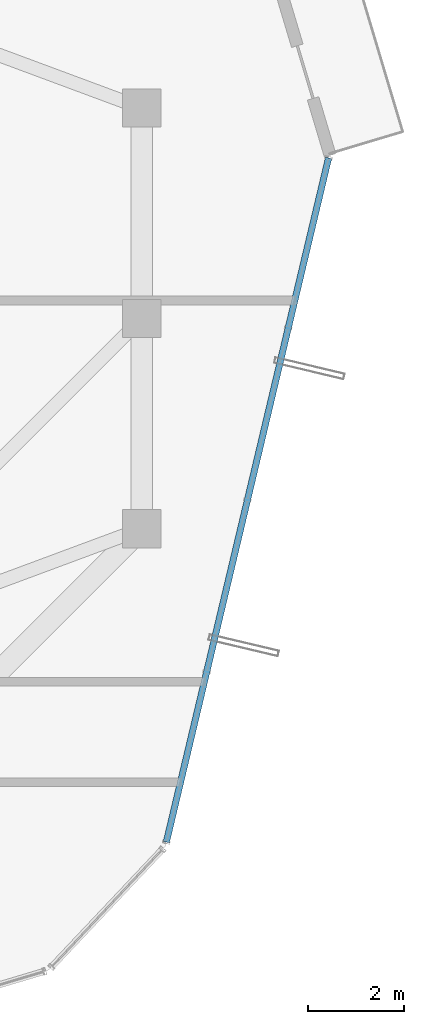
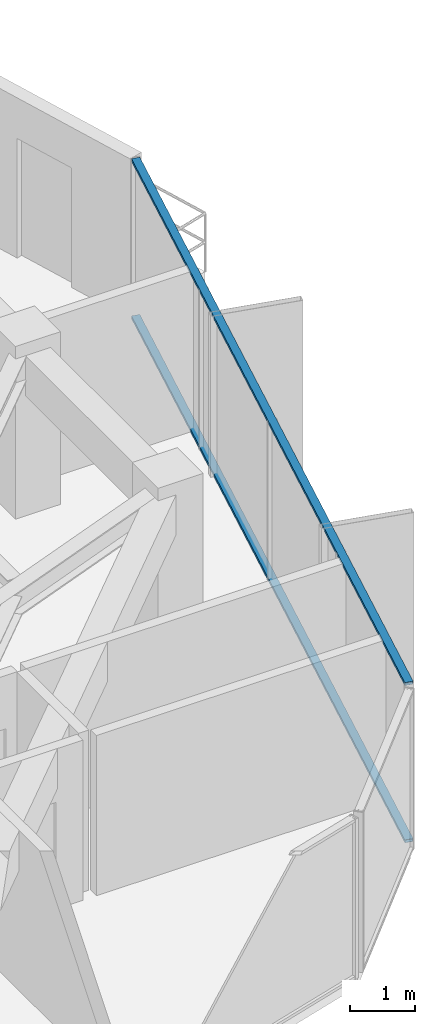
# One storey, part 18 of 28: 2 members, 1 element without a shape of its own.
"""IFC4 building model written with IfcOpenShell, lengths in metres."""

from ifc_helpers import new_model, si_unit, direction, frame, origin, origin_2d, place, context, subcontext, project, spatial, hollow_rectangle, extrude, source, transform, mapped, material, layer, layer_set, material_profile, profile_set, type_object, element, aggregate, save


model = new_model("IFC4")

# Units and contexts
model_context = context("Model", 3, precision=1e-05, world=origin(), true_north=direction((0.0, 1.0)))
body_context = subcontext(model_context, "Body", "Model", "MODEL_VIEW")
ifc_project = project(units=[si_unit("LENGTHUNIT", "METRE"), si_unit("AREAUNIT", "SQUARE_METRE"), si_unit("VOLUMEUNIT", "CUBIC_METRE"), si_unit("PLANEANGLEUNIT", "RADIAN"), si_unit("MASSUNIT", "GRAM", prefix="KILO")], contexts=[model_context])

# Site, building, storey
site_placement = place(None, origin())
site = spatial("IfcSite", under=ifc_project, at=site_placement, CompositionType="ELEMENT")
building_placement = place(site_placement, origin())
building = spatial("IfcBuilding", under=site, at=building_placement, Name="Veraguas Prism Commons", CompositionType="ELEMENT")
storey_placement = place(building_placement, frame((0.0, 0.0, 254.5)))
storey = spatial("IfcBuildingStorey", under=building, at=storey_placement, Name="L72", CompositionType="ELEMENT", Elevation=254.5)

# Curtain wall, members
ifc_material = material(Name="Anodised aluminium EN AW-6063 T6", Category="aluminium")
ifc_layer = layer(ifc_material, 0.14990234375, Name="Unitised Flush Curtain Wall Zone 4", Category="aluminium")
ifc_layer_set = layer_set([ifc_layer], Name="Anodised aluminium EN AW-6063 T6")
curtain_wall_type = type_object("IfcCurtainWallType", Name="Unitised Flush Curtain Wall Zone 4", PredefinedType="NOTDEFINED", material=ifc_layer_set)
curtain_wall_placement = place(storey_placement, origin())
curtain_wall = element("IfcCurtainWall", 1, at=curtain_wall_placement, inside=storey, type_object=curtain_wall_type, Name="Tower Facade Curtain Wall L72-F6", PredefinedType="NOTDEFINED")
ifc_material_profile = material_profile(ifc_material, hollow_rectangle(XDim=0.054931640625, YDim=0.135009765625, WallThickness=0.0029296875, at=origin_2d()), Name="AL55X135X3")
ifc_profile_set = profile_set([ifc_material_profile], Name="Anodised aluminium EN AW-6063 T6")
member_type = type_object("IfcMemberType", Name="Curtain Wall Transom Standard AL 55x135x3", PredefinedType="USERDEFINED", material=ifc_profile_set)
shared_shape = source(origin(), body_context, "Body", "SweptSolid", [
    extrude(hollow_rectangle(XDim=0.054931640625, YDim=0.135009765625, WallThickness=0.0029296875, at=origin_2d()), origin(), (0.0, 0.0, 1.0), 14.70654296875),
])
member_1_placement = place(storey_placement, frame((38.313720703125, 13.048583984375, 0.027587890625), z_axis=(0.230752627999, 0.973012448364, 0.0), x_axis=(0.0, 0.0, 1.0)))
member_1 = element("IfcMember", 2, at=member_1_placement, type_object=member_type, Name="CW-Z4 Transom 1", ObjectType="TRANSOM", PredefinedType="USERDEFINED", context=body_context, shape_type="MappedRepresentation", body=[
    mapped(shared_shape, transform((0.0, 0.0, 0.0), scale=1.0)),
])
member_2_placement = place(storey_placement, frame((38.313720703125, 13.048583984375, 2.987548828125), z_axis=(0.230752627999, 0.973012448364, 0.0), x_axis=(0.0, 0.0, 1.0)))
member_2 = element("IfcMember", 3, at=member_2_placement, type_object=member_type, Name="CW-Z4 Transom 2", ObjectType="TRANSOM", PredefinedType="USERDEFINED", context=body_context, shape_type="MappedRepresentation", body=[
    mapped(shared_shape, transform((0.0, 0.0, 0.0), scale=1.0)),
])
aggregate(curtain_wall, [member_1, member_2])

save(model, "model.ifc")
